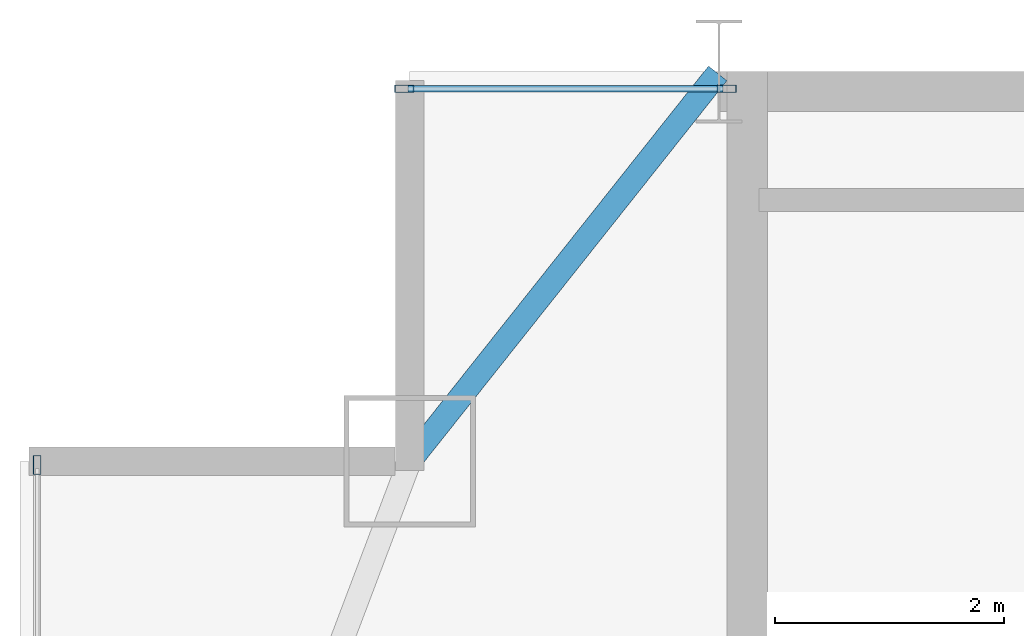
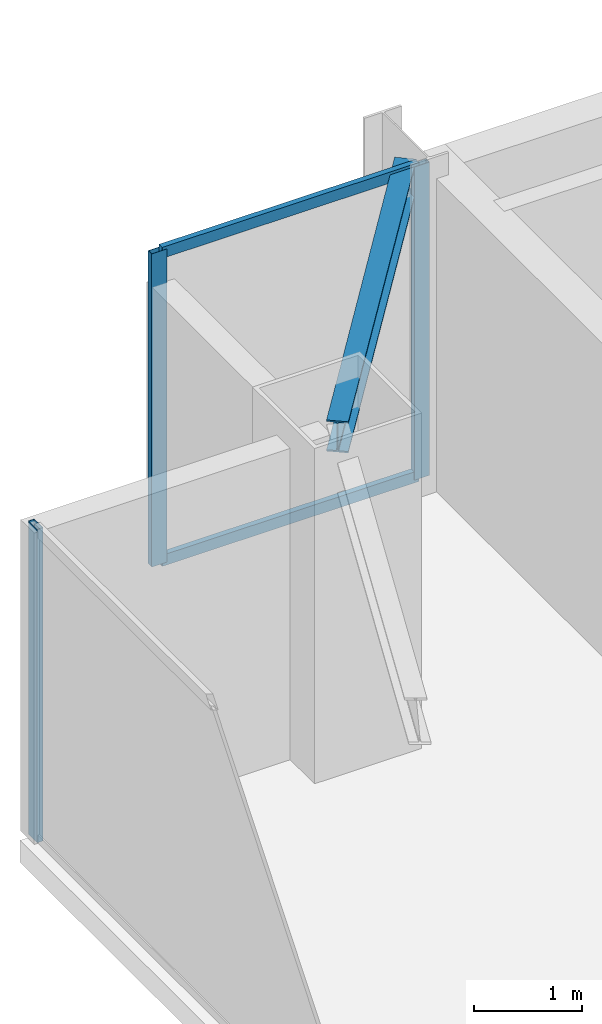
# One storey, part 18 of 27: 5 members, 1 beam, 2 elements without a shape of their own.
"""IFC4 building model written with IfcOpenShell, lengths in metres."""

import ifcopenshell
import ifcopenshell.guid

model = None  # the IFC model being written
_history = None  # IfcOwnerHistory: only IFC2X3 demands one
_inside = {}  # id of a spatial element -> (the spatial element, [elements in it])
_under = {}  # id of a project, library or spatial element -> (it, [spatial elements below it])
_declared = {}  # id of a project -> (the project, [libraries it declares])
_typed = {}  # id of a type object -> (the type object, [elements of that type])
_made_of = {}  # id of a material, layer set ... -> (it, [elements and type objects made of it])


def new_model(schema):
    """Start an empty IFC model of exactly this schema.

    Asked for "IFC4X3", IfcOpenShell would pick the latest addendum, in which some entities
    have other attributes; the version numbers below select the first issue.
    IFC2X3 requires an IfcOwnerHistory on every rooted entity: one is made here for all.
    """
    global model, _history
    if schema == "IFC4X3":
        model = ifcopenshell.file(schema_version=(4, 3, 0, 0))
    else:
        model = ifcopenshell.file(schema=schema)
    _inside.clear()
    _under.clear()
    _declared.clear()
    _typed.clear()
    _made_of.clear()
    _history = None
    if model.schema == "IFC2X3":
        org = make("IfcOrganization", Name="unknown")
        user = make(
            "IfcPersonAndOrganization",
            ThePerson=make("IfcPerson", FamilyName="unknown"),
            TheOrganization=org,
        )
        app = make(
            "IfcApplication",
            ApplicationDeveloper=org,
            Version="unknown",
            ApplicationFullName="unknown",
            ApplicationIdentifier="unknown",
        )
        _history = make(
            "IfcOwnerHistory",
            OwningUser=user,
            OwningApplication=app,
            ChangeAction="ADDED",
            CreationDate=0,
        )
    return model


def make(cls, **values):
    """One entity of the class cls with the attributes given. An attribute that is None is left unset."""
    return model.create_entity(
        cls, **{name: value for name, value in values.items() if value is not None}
    )


def rooted(cls, **values):
    """An entity with a GlobalId (a new one), such as an element, a storey or a relation."""
    return make(cls, GlobalId=ifcopenshell.guid.new(), OwnerHistory=_history, **values)


def si_unit(unit_type, name, prefix=None):
    """IfcSIUnit, for example si_unit("LENGTHUNIT", "METRE", prefix="MILLI")."""
    return make("IfcSIUnit", UnitType=unit_type, Prefix=prefix, Name=name)


def assignment(units):
    """IfcUnitAssignment: the units of a project."""
    return None if units is None else make("IfcUnitAssignment", Units=units)


def point(xyz):
    """IfcCartesianPoint."""
    return None if xyz is None else make("IfcCartesianPoint", Coordinates=xyz)


def direction(xyz):
    """IfcDirection."""
    return None if xyz is None else make("IfcDirection", DirectionRatios=xyz)


def frame(location, z_axis=None, x_axis=None):
    """IfcAxis2Placement3D, a coordinate frame: its origin and axes. An axis left out is left unset."""
    return make(
        "IfcAxis2Placement3D",
        Location=point(location),
        Axis=direction(z_axis),
        RefDirection=direction(x_axis),
    )


def frame_2d(location, x_axis=None):
    """IfcAxis2Placement2D, a coordinate frame in the plane: its origin and x axis."""
    return make(
        "IfcAxis2Placement2D", Location=point(location), RefDirection=direction(x_axis)
    )


def origin():
    """The frame at (0, 0, 0) with its axes left unset."""
    return frame((0.0, 0.0, 0.0))


def origin_2d():
    """The frame at (0, 0) in the plane with its x axis left unset."""
    return frame_2d((0.0, 0.0))


def place(relative_to, where):
    """IfcLocalPlacement: puts the frame where relative to a parent placement (None: the world)."""
    return make(
        "IfcLocalPlacement", PlacementRelTo=relative_to, RelativePlacement=where
    )


def context(
    kind, dimensions, precision=None, world=None, true_north=None, identifier=None
):
    """IfcGeometricRepresentationContext, for example the 3D "Model" context."""
    return make(
        "IfcGeometricRepresentationContext",
        ContextIdentifier=identifier,
        ContextType=kind,
        CoordinateSpaceDimension=dimensions,
        Precision=precision,
        WorldCoordinateSystem=world,
        TrueNorth=true_north,
    )


def subcontext(parent, identifier, kind, view, scale=None):
    """IfcGeometricRepresentationSubContext, for example "Body" below "Model"."""
    return make(
        "IfcGeometricRepresentationSubContext",
        ContextIdentifier=identifier,
        ContextType=kind,
        ParentContext=parent,
        TargetScale=scale,
        TargetView=view,
    )


def project(units=None, contexts=None):
    """IfcProject with its units and contexts."""
    return rooted(
        "IfcProject",
        Name="project",
        RepresentationContexts=contexts,
        UnitsInContext=assignment(units),
    )


def spatial(cls, under=None, at=None, **own):
    """A site, building, storey or space (cls), placed at a placement, below another one or the project."""
    s = rooted(cls, ObjectPlacement=at, **own)
    if under is not None:
        _under.setdefault(under.id(), (under, []))[1].append(s)
    return s


def profile(cls, at=None, kind="AREA", **sizes):
    """A parametric profile (cls). Its sizes go by their IFC names, for example OverallWidth=200.0."""
    return make(cls, ProfileType=kind, Position=at, **sizes)


def hollow_rectangle(**sizes):
    """IfcRectangleHollowProfileDef."""
    return profile("IfcRectangleHollowProfileDef", **sizes)


def i_section(**sizes):
    """IfcIShapeProfileDef."""
    return profile("IfcIShapeProfileDef", **sizes)


def extrude(swept, where, along, depth):
    """IfcExtrudedAreaSolid: the profile swept, set in the frame where, extruded along a direction by depth."""
    return make(
        "IfcExtrudedAreaSolid",
        SweptArea=swept,
        Position=where,
        ExtrudedDirection=direction(along),
        Depth=depth,
    )


def shape(context_of_items, identifier, shape_type, items):
    """IfcShapeRepresentation: the items that make up one representation, for example the "Body"."""
    return make(
        "IfcShapeRepresentation",
        ContextOfItems=context_of_items,
        RepresentationIdentifier=identifier,
        RepresentationType=shape_type,
        Items=items,
    )


def source(mapping_origin, context_of_items, identifier, shape_type, items):
    """IfcRepresentationMap: a shape defined once, which mapped items show again and again."""
    return make(
        "IfcRepresentationMap",
        MappingOrigin=mapping_origin,
        MappedRepresentation=shape(context_of_items, identifier, shape_type, items),
    )


def transform(
    local_origin,
    x_axis=None,
    y_axis=None,
    z_axis=None,
    scale=None,
    scale2=None,
    scale3=None,
    uniform=True,
):
    """IfcCartesianTransformationOperator3D, or its non-uniform kind. x_axis, y_axis, z_axis: its Axis1, 2, 3."""
    if uniform:
        return make(
            "IfcCartesianTransformationOperator3D",
            Axis1=direction(x_axis),
            Axis2=direction(y_axis),
            LocalOrigin=point(local_origin),
            Scale=scale,
            Axis3=direction(z_axis),
        )
    return make(
        "IfcCartesianTransformationOperator3DnonUniform",
        Axis1=direction(x_axis),
        Axis2=direction(y_axis),
        LocalOrigin=point(local_origin),
        Scale=scale,
        Axis3=direction(z_axis),
        Scale2=scale2,
        Scale3=scale3,
    )


def mapped(mapping_source, mapping_target):
    """IfcMappedItem: shows the shape of a source again, moved by a transform."""
    return make(
        "IfcMappedItem", MappingSource=mapping_source, MappingTarget=mapping_target
    )


def material(Name=None, Category=None):
    """IfcMaterial."""
    return make("IfcMaterial", Name=Name, Category=Category)


def layer(
    of_material, thickness, ventilated=None, Name=None, Category=None, Priority=None
):
    """IfcMaterialLayer: one layer of a wall or slab, of a material (None: an air gap)."""
    return make(
        "IfcMaterialLayer",
        Material=of_material,
        LayerThickness=thickness,
        IsVentilated=ventilated,
        Name=Name,
        Category=Category,
        Priority=Priority,
    )


def layer_set(layers, Name=None):
    """IfcMaterialLayerSet."""
    return make("IfcMaterialLayerSet", MaterialLayers=layers, LayerSetName=Name)


def material_profile(
    of_material, cross_section, Name=None, Category=None, Priority=None
):
    """IfcMaterialProfile: a cross section and its material."""
    return make(
        "IfcMaterialProfile",
        Name=Name,
        Material=of_material,
        Profile=cross_section,
        Priority=Priority,
        Category=Category,
    )


def profile_set(profiles, Name=None, composite=None):
    """IfcMaterialProfileSet."""
    return make(
        "IfcMaterialProfileSet",
        Name=Name,
        MaterialProfiles=profiles,
        CompositeProfile=composite,
    )


def made_of(thing, what):
    """Note that an element or type object is made of a material, layer set ...; save() writes the relation."""
    if what is not None:
        _made_of.setdefault(what.id(), (what, []))[1].append(thing)
    return thing


def type_object(cls, material=None, **own):
    """A type object (cls), such as IfcWallType, which elements share."""
    return made_of(rooted(cls, **own), material)


def type_shapes(of_type, sources):
    """Give a type object the sources (RepresentationMaps) that its elements show as mapped items."""
    of_type.RepresentationMaps = sources


def element(
    cls,
    number,
    at=None,
    inside=None,
    cuts=None,
    type_object=None,
    material=None,
    context=None,
    identifier="Body",
    shape_type=None,
    held_by="IfcProductDefinitionShape",
    body=None,
    shapes=None,
    **own,
):
    """One element of the class cls, such as IfcWall. Its Tag is "e" and its number.

    at: its placement. inside: the storey or other place that contains it. cuts: it is an
    opening in that element (IfcRelVoidsElement). A single representation is given by context,
    identifier, shape_type and body (its items); several are given by shapes. held_by: the class
    of the entity that holds the representations. save() writes the other relations.
    """
    e = rooted(cls, Tag="e%d" % number, ObjectPlacement=at, **own)
    if body is not None:
        shapes = [shape(context, identifier, shape_type, body)]
    if shapes is not None:
        e.Representation = make(held_by, Representations=shapes)
    if inside is not None:
        _inside.setdefault(inside.id(), (inside, []))[1].append(e)
    if cuts is not None:
        rooted(
            "IfcRelVoidsElement", RelatingBuildingElement=cuts, RelatedOpeningElement=e
        )
    if type_object is not None:
        _typed.setdefault(type_object.id(), (type_object, []))[1].append(e)
    return made_of(e, material)


def aggregate(whole, parts):
    """IfcRelAggregates: a whole, such as a stair, and the parts it consists of."""
    return rooted("IfcRelAggregates", RelatingObject=whole, RelatedObjects=parts)


def save(model, path):
    """Write the relations noted so far, then the file.

    IfcRelAggregates (storeys below a building ...), IfcRelContainedInSpatialStructure (elements
    in a storey), IfcRelDefinesByType, IfcRelAssociatesMaterial and IfcRelDeclares: one each for
    every whole, place, type object, material and project.
    """
    for whole, parts in _under.values():
        aggregate(whole, parts)
    for where, things in _inside.values():
        rooted(
            "IfcRelContainedInSpatialStructure",
            RelatedElements=things,
            RelatingStructure=where,
        )
    for kind, things in _typed.values():
        rooted("IfcRelDefinesByType", RelatedObjects=things, RelatingType=kind)
    for what, things in _made_of.values():
        rooted("IfcRelAssociatesMaterial", RelatedObjects=things, RelatingMaterial=what)
    for by, libraries in _declared.values():
        rooted("IfcRelDeclares", RelatingContext=by, RelatedDefinitions=libraries)
    model.write(path)


model = new_model("IFC4")

# Units and contexts
model_context = context("Model", 3, precision=1e-05, world=origin(), true_north=direction((0.0, 1.0)))
body_context = subcontext(model_context, "Body", "Model", "MODEL_VIEW")
ifc_project = project(units=[si_unit("LENGTHUNIT", "METRE"), si_unit("AREAUNIT", "SQUARE_METRE"), si_unit("VOLUMEUNIT", "CUBIC_METRE"), si_unit("PLANEANGLEUNIT", "RADIAN"), si_unit("MASSUNIT", "GRAM", prefix="KILO")], contexts=[model_context])

# Site, building, storey
site_placement = place(None, origin())
site = spatial("IfcSite", under=ifc_project, at=site_placement, CompositionType="ELEMENT")
building_placement = place(site_placement, origin())
building = spatial("IfcBuilding", under=site, at=building_placement, Name="Varnel Quay Broadcast Tower", CompositionType="ELEMENT")
storey_placement = place(building_placement, frame((0.0, 0.0, 243.199951171875)))
storey = spatial("IfcBuildingStorey", under=building, at=storey_placement, Name="L60", CompositionType="ELEMENT", Elevation=243.199951171875)

# Beam
ifc_material_1 = material(Name="Structural Steel CSA G40.21 350W", Category="steel")
ifc_material_profile_1 = material_profile(ifc_material_1, i_section(OverallWidth=0.205078125, OverallDepth=0.35400390625, WebThickness=0.009521484375, FlangeThickness=0.016845703125, FilletRadius=0.012939453125, at=origin_2d()), Name="W360X79")
ifc_profile_set_1 = profile_set([ifc_material_profile_1], Name="Structural Steel CSA G40.21 350W")
beam_type = type_object("IfcBeamType", Name="Beam_W360X79", PredefinedType="SPANDREL", material=ifc_profile_set_1)
shared_shape_1 = source(origin(), body_context, "Body", "SweptSolid", [
    extrude(i_section(OverallWidth=0.205078125, OverallDepth=0.35400390625, WebThickness=0.009521484375, FlangeThickness=0.016845703125, FilletRadius=0.012939453125, at=origin_2d()), origin(), (0.0, 0.0, 1.0), 4.301513671875),
])
type_shapes(beam_type, [shared_shape_1])
beam_placement = place(storey_placement, frame((12.912353515625, 43.415771484375, 3.373046875), z_axis=(0.621936399401, 0.783067758946, 0.0), x_axis=(-0.783067758946, 0.621936399401, 0.0)))
element("IfcBeam", 1, at=beam_placement, inside=storey, type_object=beam_type, Name="L60 NW Tie Spandrel", PredefinedType="SPANDREL", context=body_context, shape_type="MappedRepresentation", body=[
    mapped(shared_shape_1, transform((0.0, 0.0, 0.0), x_axis=(1.0, 0.0, 0.0), y_axis=(0.0, 1.0, 0.0), z_axis=(0.0, 0.0, 1.0), scale=1.0)),
])

# Curtain wall, member
ifc_material_2 = material(Name="Anodised Bronze Aluminium 6063-T6", Category="aluminium")
ifc_layer = layer(ifc_material_2, 0.18994140625, Name="Anodised Bronze Aluminium 6063-T6")
ifc_layer_set = layer_set([ifc_layer], Name="Anodised Bronze Aluminium 6063-T6")
curtain_wall_type = type_object("IfcCurtainWallType", Name="CW_UpperTower", PredefinedType="NOTDEFINED", material=ifc_layer_set)
curtain_wall_1_placement = place(storey_placement, origin())
curtain_wall_1 = element("IfcCurtainWall", 2, at=curtain_wall_1_placement, inside=storey, type_object=curtain_wall_type, Name="L60 West Unitised Curtain Wall", PredefinedType="NOTDEFINED")
ifc_material_profile_2 = material_profile(ifc_material_2, hollow_rectangle(XDim=0.06494140625, YDim=0.1650390625, WallThickness=0.00341796875, at=origin_2d()), Name="ALU65X165X3.5")
ifc_profile_set_2 = profile_set([ifc_material_profile_2], Name="Anodised Bronze Aluminium 6063-T6")
member_type_1 = type_object("IfcMemberType", Name="Mull_CWS-03", PredefinedType="MULLION", material=ifc_profile_set_2)
shared_shape_2 = source(origin(), body_context, "Body", "SweptSolid", [
    extrude(hollow_rectangle(XDim=0.06494140625, YDim=0.1650390625, WallThickness=0.00341796875, at=origin_2d()), origin(), (0.0, 0.0, 1.0), 3.550048828125),
])
type_shapes(member_type_1, [shared_shape_2])
member_1_placement = place(storey_placement, frame((9.64990234375, 43.367431640625, 0.0), z_axis=(0.0, 0.0, 1.0), x_axis=(-1.0, 0.0, 0.0)))
member_1 = element("IfcMember", 3, at=member_1_placement, type_object=member_type_1, Name="CWS-03 mullion 3", PredefinedType="MULLION", context=body_context, shape_type="MappedRepresentation", body=[
    mapped(shared_shape_2, transform((0.0, 0.0, 0.0), x_axis=(1.0, 0.0, 0.0), y_axis=(0.0, 1.0, 0.0), z_axis=(0.0, 0.0, 1.0), scale=1.0)),
])
aggregate(curtain_wall_1, [member_1])

# Curtain wall, members
curtain_wall_2_placement = place(storey_placement, origin())
curtain_wall_2 = element("IfcCurtainWall", 4, at=curtain_wall_2_placement, inside=storey, type_object=curtain_wall_type, Name="L60 NW Wing Curtain Wall", PredefinedType="NOTDEFINED")
member_2_placement = place(storey_placement, frame((12.8525390625, 46.64990234375, 0.0), z_axis=(0.0, 0.0, 1.0), x_axis=(0.0, 1.0, 0.0)))
member_2 = element("IfcMember", 5, at=member_2_placement, type_object=member_type_1, Name="CWS-03 mullion 1", PredefinedType="MULLION", context=body_context, shape_type="MappedRepresentation", body=[
    mapped(shared_shape_2, transform((0.0, 0.0, 0.0), x_axis=(1.0, 0.0, 0.0), y_axis=(0.0, 1.0, 0.0), z_axis=(0.0, 0.0, 1.0), scale=1.0)),
])
member_3_placement = place(storey_placement, frame((15.66748046875, 46.64990234375, 0.0), z_axis=(0.0, 0.0, 1.0), x_axis=(0.0, 1.0, 0.0)))
member_3 = element("IfcMember", 6, at=member_3_placement, type_object=member_type_1, Name="CWS-03 mullion 2", PredefinedType="MULLION", context=body_context, shape_type="MappedRepresentation", body=[
    mapped(shared_shape_2, transform((0.0, 0.0, 0.0), x_axis=(1.0, 0.0, 0.0), y_axis=(0.0, 1.0, 0.0), z_axis=(0.0, 0.0, 1.0), scale=1.0)),
])
ifc_material_profile_3 = material_profile(ifc_material_2, hollow_rectangle(XDim=0.06005859375, YDim=0.125, WallThickness=0.0029296875, at=origin_2d()), Name="ALU60X125X3")
ifc_profile_set_3 = profile_set([ifc_material_profile_3], Name="Anodised Bronze Aluminium 6063-T6")
member_type_2 = type_object("IfcMemberType", Name="Tran_CWS-03", PredefinedType="USERDEFINED", material=ifc_profile_set_3)
shared_shape_3 = source(origin(), body_context, "Body", "SweptSolid", [
    extrude(hollow_rectangle(XDim=0.06005859375, YDim=0.125, WallThickness=0.0029296875, at=origin_2d()), origin(), (0.0, 0.0, 1.0), 2.75),
])
type_shapes(member_type_2, [shared_shape_3])
member_4_placement = place(storey_placement, frame((12.885009765625, 46.64990234375, 0.030029296875), z_axis=(1.0, 0.0, 0.0), x_axis=(0.0, 1.0, 0.0)))
member_4 = element("IfcMember", 7, at=member_4_placement, type_object=member_type_2, Name="CWS-03 transom 1.1", ObjectType="TRANSOM", PredefinedType="USERDEFINED", context=body_context, shape_type="MappedRepresentation", body=[
    mapped(shared_shape_3, transform((0.0, 0.0, 0.0), x_axis=(1.0, 0.0, 0.0), y_axis=(0.0, 1.0, 0.0), z_axis=(0.0, 0.0, 1.0), scale=1.0)),
])
member_5_placement = place(storey_placement, frame((12.885009765625, 46.64990234375, 3.52001953125), z_axis=(1.0, 0.0, 0.0), x_axis=(0.0, 1.0, 0.0)))
member_5 = element("IfcMember", 8, at=member_5_placement, type_object=member_type_2, Name="CWS-03 transom 1.2", ObjectType="TRANSOM", PredefinedType="USERDEFINED", context=body_context, shape_type="MappedRepresentation", body=[
    mapped(shared_shape_3, transform((0.0, 0.0, 0.0), x_axis=(1.0, 0.0, 0.0), y_axis=(0.0, 1.0, 0.0), z_axis=(0.0, 0.0, 1.0), scale=1.0)),
])
aggregate(curtain_wall_2, [member_2, member_3, member_4, member_5])

save(model, "model.ifc")
